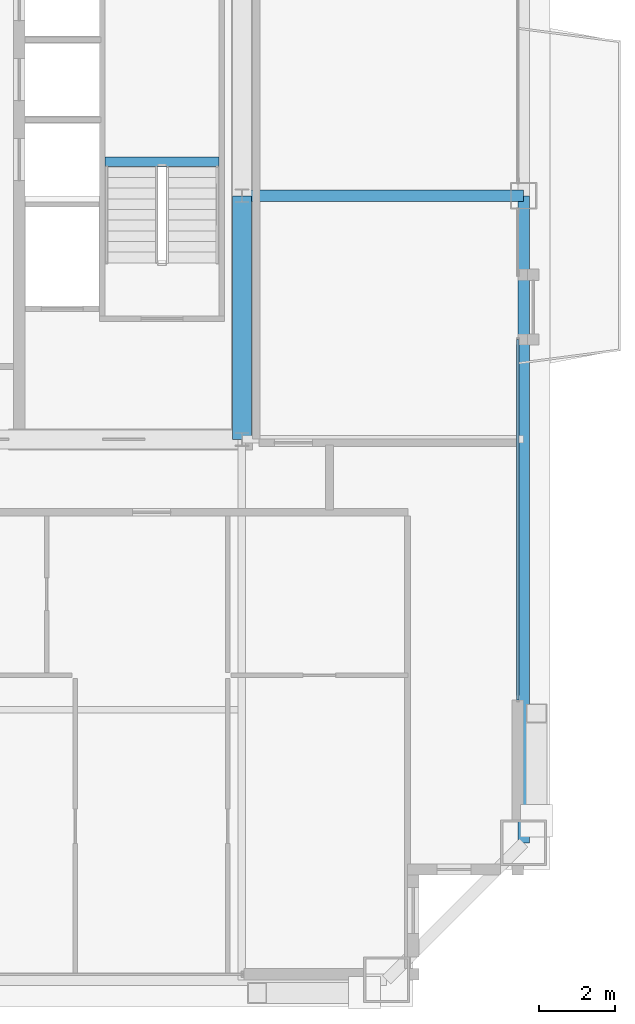
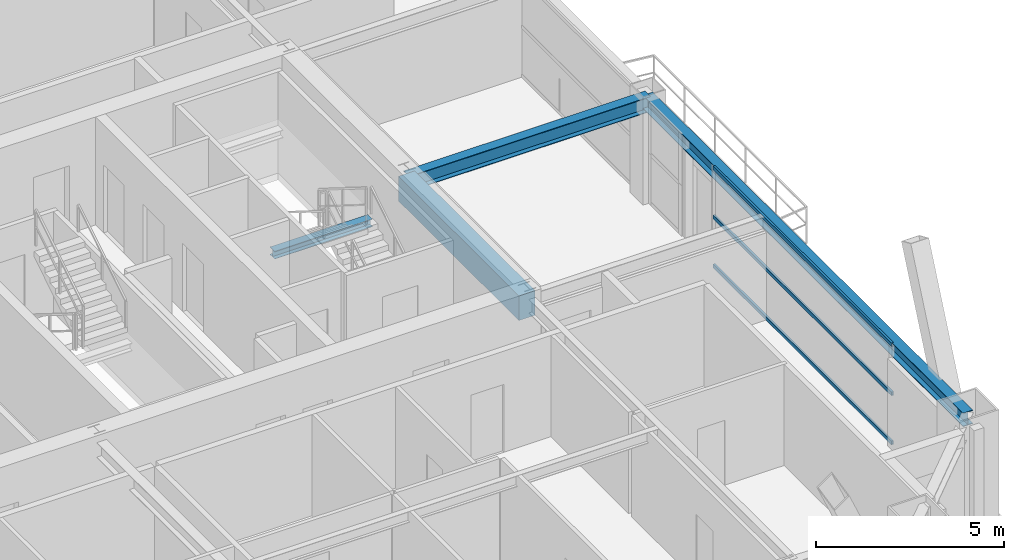
# One storey, part 18 of 37: 4 beams, 3 members, 1 element without a shape of its own.
"""IFC4 building model written with IfcOpenShell, lengths in metres."""

from ifc_helpers import new_model, si_unit, direction, frame, origin, origin_2d, place, context, subcontext, project, spatial, rectangle, hollow_rectangle, i_section, extrude, source, transform, mapped, material, layer, layer_set, material_profile, profile_set, type_object, element, aggregate, save


model = new_model("IFC4")

# Units and contexts
model_context = context("Model", 3, precision=1e-05, world=origin(), true_north=direction((0.0, 1.0)))
body_context = subcontext(model_context, "Body", "Model", "MODEL_VIEW")
ifc_project = project(units=[si_unit("LENGTHUNIT", "METRE"), si_unit("AREAUNIT", "SQUARE_METRE"), si_unit("VOLUMEUNIT", "CUBIC_METRE"), si_unit("PLANEANGLEUNIT", "RADIAN"), si_unit("MASSUNIT", "GRAM", prefix="KILO"), si_unit("THERMODYNAMICTEMPERATUREUNIT", "KELVIN"), si_unit("POWERUNIT", "WATT")], contexts=[model_context])

# Site, building, storey
site_placement = place(None, origin())
site = spatial("IfcSite", under=ifc_project, at=site_placement, CompositionType="ELEMENT")
building_placement = place(site_placement, origin())
building = spatial("IfcBuilding", under=site, at=building_placement, Name="Yuzanri Waterfront Tower", CompositionType="ELEMENT")
storey_placement = place(building_placement, frame((0.0, 0.0, 278.60009765625)))
storey = spatial("IfcBuildingStorey", under=building, at=storey_placement, Name="L74", CompositionType="ELEMENT", Elevation=278.60009765625)

# Beams
ifc_material_1 = material(Name="Concrete C50", Category="concrete")
ifc_material_profile_1 = material_profile(ifc_material_1, rectangle(XDim=0.5, YDim=0.800048828125, at=origin_2d()), Name="RC 500x800")
ifc_profile_set_1 = profile_set([ifc_material_profile_1], Name="Concrete C50")
beam_type_1 = type_object("IfcBeamType", Name="Core Coupling Lintel Concrete C50 500x800", PredefinedType="LINTEL", material=ifc_profile_set_1)
shared_shape_1 = source(origin(), body_context, "Body", "SweptSolid", [
    extrude(rectangle(XDim=0.5, YDim=0.800048828125, at=origin_2d()), origin(), (0.0, 0.0, 1.0), 6.400146484375),
])
beam_1_placement = place(storey_placement, frame((50.199951171875, 19.39990234375, 2.8798828125), z_axis=(0.0, 1.0, 0.0), x_axis=(-1.0, 0.0, 0.0)))
element("IfcBeam", 1, at=beam_1_placement, inside=storey, type_object=beam_type_1, Name="L74 Core Tie Beam CE1", PredefinedType="LINTEL", context=body_context, shape_type="MappedRepresentation", body=[
    mapped(shared_shape_1, transform((0.0, 0.0, 0.0), scale=1.0)),
])
ifc_material_2 = material(Name="Steel Q355B", Category="steel")
ifc_material_profile_2 = material_profile(ifc_material_2, i_section(OverallWidth=0.300048828125, OverallDepth=0.43994140625, WebThickness=0.010986328125, FlangeThickness=0.01806640625, at=origin_2d()), Name="HM 440x300x11x18")
ifc_profile_set_2 = profile_set([ifc_material_profile_2], Name="Steel Q355B")
beam_type_2 = type_object("IfcBeamType", Name="Perimeter Spandrel Q355B HM 440x300", PredefinedType="SPANDREL", material=ifc_profile_set_2)
shared_shape_2 = source(origin(), body_context, "Body", "SweptSolid", [
    extrude(i_section(OverallWidth=0.300048828125, OverallDepth=0.43994140625, WebThickness=0.010986328125, FlangeThickness=0.01806640625, at=origin_2d()), origin(), (0.0, 0.0, 1.0), 17.0),
])
beam_2_placement = place(storey_placement, frame((57.60009765625, 8.800048828125, 3.059814453125), z_axis=(0.0, 1.0, 0.0), x_axis=(-1.0, 0.0, 0.0)))
element("IfcBeam", 2, at=beam_2_placement, inside=storey, type_object=beam_type_2, Name="L74 Perimeter Spandrel E1-E2", PredefinedType="SPANDREL", context=body_context, shape_type="MappedRepresentation", body=[
    mapped(shared_shape_2, transform((0.0, 0.0, 0.0), scale=1.0)),
])
ifc_material_3 = material(Name="Steel Q355B", Category="steel")
ifc_material_profile_3 = material_profile(ifc_material_3, i_section(OverallWidth=0.300048828125, OverallDepth=0.488037109375, WebThickness=0.010986328125, FlangeThickness=0.01806640625, at=origin_2d()), Name="HM 488x300x11x18")
ifc_profile_set_3 = profile_set([ifc_material_profile_3], Name="Steel Q355B")
beam_type_3 = type_object("IfcBeamType", Name="Primary Floor Girder Q355B HM 488x300", PredefinedType="BEAM", material=ifc_profile_set_3)
shared_shape_3 = source(origin(), body_context, "Body", "SweptSolid", [
    extrude(i_section(OverallWidth=0.300048828125, OverallDepth=0.488037109375, WebThickness=0.010986328125, FlangeThickness=0.01806640625, at=origin_2d()), origin(), (0.0, 0.0, 1.0), 7.400146484375),
])
beam_3_placement = place(storey_placement, frame((50.199951171875, 25.800048828125, 3.035888671875), z_axis=(1.0, 0.0, 0.0), x_axis=(0.0, 1.0, 0.0)))
element("IfcBeam", 3, at=beam_3_placement, inside=storey, type_object=beam_type_3, Name="L74 East Grid Girder", PredefinedType="BEAM", context=body_context, shape_type="MappedRepresentation", body=[
    mapped(shared_shape_3, transform((0.0, 0.0, 0.0), scale=1.0)),
])

# Curtain wall, members
ifc_material_4 = material(Name="Anodized Architectural Bronze", Category="metal")
ifc_layer = layer(ifc_material_4, 0.159912109375)
ifc_layer_set = layer_set([ifc_layer], Name="Anodized Architectural Bronze")
curtain_wall_type = type_object("IfcCurtainWallType", Name="Anodized Bronze Mid-Rise Residential Acoustic Unitized Curtain Wall 7200", PredefinedType="NOTDEFINED", material=ifc_layer_set)
curtain_wall_placement = place(storey_placement, origin())
curtain_wall = element("IfcCurtainWall", 4, at=curtain_wall_placement, inside=storey, type_object=curtain_wall_type, Name="L74 Curtain Wall CW-L74-EL1", PredefinedType="NOTDEFINED")
ifc_material_5 = material(Name="Anodized Architectural Bronze", Category="metal")
ifc_material_profile_4 = material_profile(ifc_material_5, hollow_rectangle(XDim=0.06494140625, YDim=0.1201171875, WallThickness=0.00341796875, at=origin_2d()), Name="CWT 65x120")
ifc_profile_set_4 = profile_set([ifc_material_profile_4], Name="Anodized Architectural Bronze")
member_type = type_object("IfcMemberType", Name="Anodized Bronze Secondary Curtain-Wall Transom 65x120", PredefinedType="USERDEFINED", material=ifc_profile_set_4)
shared_shape_4 = source(origin(), body_context, "Body", "SweptSolid", [
    extrude(hollow_rectangle(XDim=0.06494140625, YDim=0.1201171875, WallThickness=0.00341796875, at=origin_2d()), origin(), (0.0, 0.0, 1.0), 9.474853515625),
])
member_1_placement = place(storey_placement, frame((57.449951171875, 12.550048828125, 0.0498046875), z_axis=(0.0, 1.0, 0.0), x_axis=(-1.0, 0.0, 0.0)))
member_1 = element("IfcMember", 5, at=member_1_placement, type_object=member_type, Name="CW-L74-EL1 Transom 1", ObjectType="TRANSOM", PredefinedType="USERDEFINED", context=body_context, shape_type="MappedRepresentation", body=[
    mapped(shared_shape_4, transform((0.0, 0.0, 0.0), scale=1.0)),
])
member_2_placement = place(storey_placement, frame((57.449951171875, 12.550048828125, 1.639892578125), z_axis=(0.0, 1.0, 0.0), x_axis=(-1.0, 0.0, 0.0)))
member_2 = element("IfcMember", 6, at=member_2_placement, type_object=member_type, Name="CW-L74-EL1 Transom 2", ObjectType="TRANSOM", PredefinedType="USERDEFINED", context=body_context, shape_type="MappedRepresentation", body=[
    mapped(shared_shape_4, transform((0.0, 0.0, 0.0), scale=1.0)),
])
member_3_placement = place(storey_placement, frame((57.449951171875, 12.550048828125, 3.22998046875), z_axis=(0.0, 1.0, 0.0), x_axis=(-1.0, 0.0, 0.0)))
member_3 = element("IfcMember", 7, at=member_3_placement, type_object=member_type, Name="CW-L74-EL1 Transom 3", ObjectType="TRANSOM", PredefinedType="USERDEFINED", context=body_context, shape_type="MappedRepresentation", body=[
    mapped(shared_shape_4, transform((0.0, 0.0, 0.0), scale=1.0)),
])
aggregate(curtain_wall, [member_1, member_2, member_3])

# Beam
ifc_material_6 = material(Name="Steel Q355B", Category="steel")
ifc_material_profile_5 = material_profile(ifc_material_6, i_section(OverallWidth=0.25, OverallDepth=0.25, WebThickness=0.009033203125, FlangeThickness=0.013916015625, at=origin_2d()), Name="HW 250x250x9x14")
ifc_profile_set_5 = profile_set([ifc_material_profile_5], Name="Steel Q355B")
beam_type_4 = type_object("IfcBeamType", Name="Stair Landing Support Beam Q355B HW 250x250", PredefinedType="BEAM", material=ifc_profile_set_5)
shared_shape_5 = source(origin(), body_context, "Body", "SweptSolid", [
    extrude(i_section(OverallWidth=0.25, OverallDepth=0.25, WebThickness=0.009033203125, FlangeThickness=0.013916015625, at=origin_2d()), origin(), (0.0, 0.0, 1.0), 3.0),
])
beam_4_placement = place(storey_placement, frame((46.60009765625, 26.68994140625, 1.4248046875), z_axis=(1.0, 0.0, 0.0), x_axis=(0.0, 1.0, 0.0)))
element("IfcBeam", 8, at=beam_4_placement, inside=storey, type_object=beam_type_4, Name="L74 Stair Landing Support Beam ST-02-L74-L1-1", PredefinedType="BEAM", context=body_context, shape_type="MappedRepresentation", body=[
    mapped(shared_shape_5, transform((0.0, 0.0, 0.0), scale=1.0)),
])

save(model, "model.ifc")
